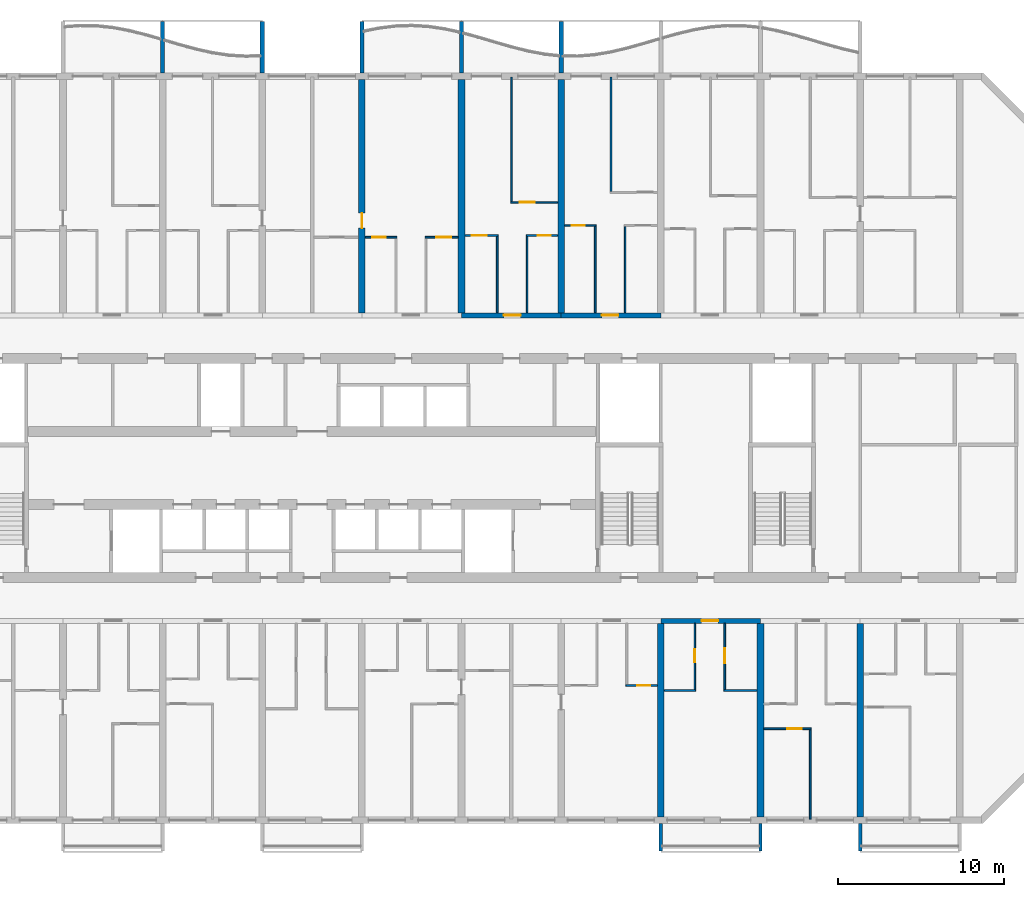
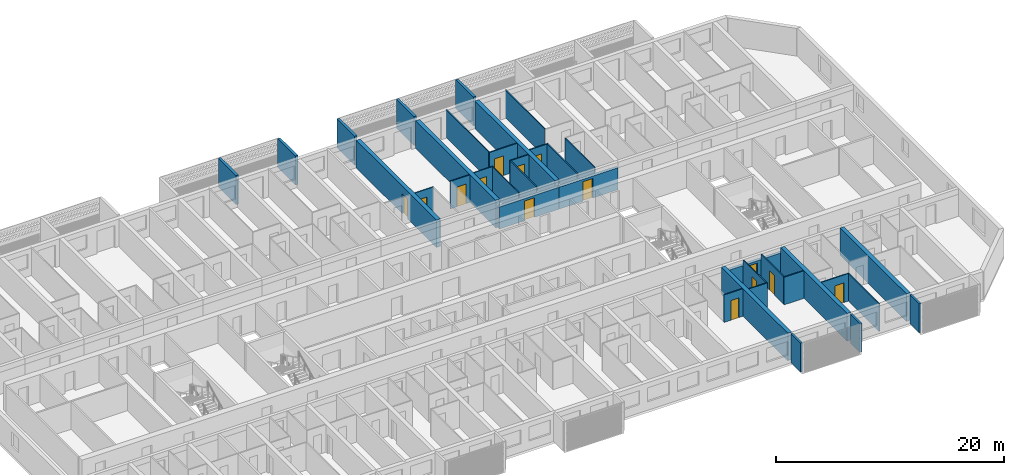
# One storey, part 13 of 39: 36 walls, 14 doors, 14 openings.
"""IFC4 building model written with IfcOpenShell, lengths in metres."""

from ifc_helpers import new_model, si_unit, direction, frame, frame_2d, origin, place, context, subcontext, project, spatial, polyline, rectangle, outline, extrude, source, transform, mapped, material, layer, layer_set, type_object, element, fill, save


model = new_model("IFC4")

# Units and contexts
model_context = context("Model", 3, precision=1e-05, world=origin(), true_north=direction((0.0, 1.0)))
body_context = subcontext(model_context, "Body", "Model", "MODEL_VIEW")
ifc_project = project(units=[si_unit("LENGTHUNIT", "METRE"), si_unit("AREAUNIT", "SQUARE_METRE"), si_unit("VOLUMEUNIT", "CUBIC_METRE"), si_unit("PLANEANGLEUNIT", "RADIAN"), si_unit("MASSUNIT", "GRAM", prefix="KILO")], contexts=[model_context])

# Site, building, storey
site_placement = place(None, origin())
site = spatial("IfcSite", under=ifc_project, at=site_placement, CompositionType="ELEMENT")
building_placement = place(site_placement, origin())
building = spatial("IfcBuilding", under=site, at=building_placement, Name="Poui Terraces", CompositionType="ELEMENT")
storey_placement = place(building_placement, frame((0.0, 0.0, 63.0)))
storey = spatial("IfcBuildingStorey", under=building, at=storey_placement, Name="L17", CompositionType="ELEMENT", Elevation=63.0)

# Wall, opening, door
ifc_material_1 = material(Name="Concrete 80 MPa", Category="concrete")
ifc_layer_1 = layer(ifc_material_1, 0.300048828125)
ifc_layer_set_1 = layer_set([ifc_layer_1], Name="Concrete 80 MPa")
wall_type_1 = type_object("IfcWallType", Name="CORRIDOR WALL 300 80MPa", PredefinedType="SHEAR", material=ifc_layer_set_1)
wall_1_placement = place(storey_placement, frame((72.0, 12.0, 0.0), z_axis=(0.0, 0.0, 1.0), x_axis=(1.0, 0.0, 0.0)))
wall_1 = element("IfcWall", 1, at=wall_1_placement, inside=storey, type_object=wall_type_1, Name="CORRIDOR WALL LINE B BAY 12", PredefinedType="SHEAR", context=body_context, shape_type="SweptSolid", body=[
    extrude(rectangle(XDim=6.0, YDim=0.300048828125, at=frame_2d((3.0, 0.0))), origin(), (0.0, 0.0, 1.0), 2.35009765625),
])
opening_1_placement = place(wall_1_placement, frame((2.449951171875, 0.0, 0.0)))
opening_1 = element("IfcOpeningElement", 2, at=opening_1_placement, cuts=wall_1, Name="Opening FD30S", PredefinedType="OPENING", context=body_context, shape_type="SweptSolid", body=[
    extrude(rectangle(XDim=1.0, YDim=2.10009765625, at=frame_2d((0.5, 1.050048828125))), frame((0.0, 0.16015625, 0.0), z_axis=(0.0, -1.0, 0.0), x_axis=(1.0, 0.0, 0.0)), (0.0, 0.0, 1.0), 0.320068359375),
])
ifc_material_2 = material(Name="Steel fire door", Category="steel")
door_type_1 = type_object("IfcDoorType", Name="FLAT ENTRANCE DOOR 1000 X 2100", OperationType="NOTDEFINED", PredefinedType="DOOR", material=ifc_material_2)
door_1_placement = place(opening_1_placement, frame((1.0, 0.0, 0.0), z_axis=(0.0, 0.0, 1.0), x_axis=(-1.0, 0.0, 0.0)))
door_1 = element("IfcDoor", 3, at=door_1_placement, inside=storey, type_object=door_type_1, Name="FLAT ENTRANCE DOOR 124", OperationType="SINGLE_SWING_RIGHT", OverallHeight=2.10009765625, OverallWidth=1.0, PredefinedType="DOOR", context=body_context, shape_type="SweptSolid", body=[
    extrude(rectangle(XDim=1.0, YDim=2.10009765625, at=frame_2d((0.5, 1.050048828125))), frame((0.0, 0.02490234375, 0.0), z_axis=(0.0, -1.0, 0.0), x_axis=(1.0, 0.0, 0.0)), (0.0, 0.0, 1.0), 0.050048828125),
])
fill(opening_1, door_1)

wall_2_placement = place(storey_placement, frame((60.0, 30.39990234375, 0.0), z_axis=(0.0, 0.0, 1.0), x_axis=(1.0, 0.0, 0.0)))
wall_2 = element("IfcWall", 4, at=wall_2_placement, inside=storey, type_object=wall_type_1, Name="CORRIDOR WALL LINE E BAY 10", PredefinedType="SHEAR", context=body_context, shape_type="SweptSolid", body=[
    extrude(rectangle(XDim=6.0, YDim=0.300048828125, at=frame_2d((3.0, 0.0))), origin(), (0.0, 0.0, 1.0), 2.35009765625),
])
opening_2_placement = place(wall_2_placement, frame((2.550048828125, 0.0, 0.0)))
opening_2 = element("IfcOpeningElement", 5, at=opening_2_placement, cuts=wall_2, Name="Opening FD30S", PredefinedType="OPENING", context=body_context, shape_type="SweptSolid", body=[
    extrude(rectangle(XDim=1.0, YDim=2.10009765625, at=frame_2d((0.5, 1.050048828125))), frame((0.0, 0.16015625, 0.0), z_axis=(0.0, -1.0, 0.0), x_axis=(1.0, 0.0, 0.0)), (0.0, 0.0, 1.0), 0.320068359375),
])
door_2_placement = place(opening_2_placement, origin())
door_2 = element("IfcDoor", 6, at=door_2_placement, inside=storey, type_object=door_type_1, Name="FLAT ENTRANCE DOOR 064", OperationType="SINGLE_SWING_RIGHT", OverallHeight=2.10009765625, OverallWidth=1.0, PredefinedType="DOOR", context=body_context, shape_type="SweptSolid", body=[
    extrude(rectangle(XDim=1.0, YDim=2.10009765625, at=frame_2d((0.5, 1.050048828125))), frame((0.0, 0.02490234375, 0.0), z_axis=(0.0, -1.0, 0.0), x_axis=(1.0, 0.0, 0.0)), (0.0, 0.0, 1.0), 0.050048828125),
])
fill(opening_2, door_2)

wall_3_placement = place(storey_placement, frame((66.0, 30.39990234375, 0.0), z_axis=(0.0, 0.0, 1.0), x_axis=(1.0, 0.0, 0.0)))
wall_3 = element("IfcWall", 7, at=wall_3_placement, inside=storey, type_object=wall_type_1, Name="CORRIDOR WALL LINE E BAY 11", PredefinedType="SHEAR", context=body_context, shape_type="SweptSolid", body=[
    extrude(rectangle(XDim=6.0, YDim=0.300048828125, at=frame_2d((3.0, 0.0))), origin(), (0.0, 0.0, 1.0), 2.35009765625),
])
opening_3_placement = place(wall_3_placement, frame((2.449951171875, 0.0, 0.0)))
opening_3 = element("IfcOpeningElement", 8, at=opening_3_placement, cuts=wall_3, Name="Opening FD30S", PredefinedType="OPENING", context=body_context, shape_type="SweptSolid", body=[
    extrude(rectangle(XDim=1.0, YDim=2.10009765625, at=frame_2d((0.5, 1.050048828125))), frame((0.0, 0.16015625, 0.0), z_axis=(0.0, -1.0, 0.0), x_axis=(1.0, 0.0, 0.0)), (0.0, 0.0, 1.0), 0.320068359375),
])
door_3_placement = place(opening_3_placement, origin())
door_3 = element("IfcDoor", 9, at=door_3_placement, inside=storey, type_object=door_type_1, Name="FLAT ENTRANCE DOOR 068", OperationType="SINGLE_SWING_LEFT", OverallHeight=2.10009765625, OverallWidth=1.0, PredefinedType="DOOR", context=body_context, shape_type="SweptSolid", body=[
    extrude(rectangle(XDim=1.0, YDim=2.10009765625, at=frame_2d((0.5, 1.050048828125))), frame((0.0, 0.02490234375, 0.0), z_axis=(0.0, -1.0, 0.0), x_axis=(1.0, 0.0, 0.0)), (0.0, 0.0, 1.0), 0.050048828125),
])
fill(opening_3, door_3)

ifc_layer_2 = layer(ifc_material_1, 0.39990234375)
ifc_layer_set_2 = layer_set([ifc_layer_2], Name="Concrete 80 MPa")
wall_type_2 = type_object("IfcWallType", Name="CROSS WALL 400 80MPa", PredefinedType="SHEAR", material=ifc_layer_set_2)
wall_4_placement = place(storey_placement, frame((54.0, 30.550048828125, 0.0), z_axis=(0.0, 0.0, 1.0), x_axis=(0.0, 1.0, 0.0)))
wall_4 = element("IfcWall", 10, at=wall_4_placement, inside=storey, type_object=wall_type_2, Name="CROSS WALL LINE 10 NORTH", PredefinedType="SHEAR", context=body_context, shape_type="SweptSolid", body=[
    extrude(rectangle(XDim=14.050048828125, YDim=0.39990234375, at=frame_2d((7.02490234375, 0.0))), origin(), (0.0, 0.0, 1.0), 2.949951171875),
])
opening_4_placement = place(wall_4_placement, frame((5.10009765625, 0.0, 0.0)))
opening_4 = element("IfcOpeningElement", 11, at=opening_4_placement, cuts=wall_4, Name="Opening D90", PredefinedType="OPENING", context=body_context, shape_type="SweptSolid", body=[
    extrude(rectangle(XDim=0.89990234375, YDim=2.10009765625, at=frame_2d((0.449951171875, 1.050048828125))), frame((0.0, 0.2099609375, 0.0), z_axis=(0.0, -1.0, 0.0), x_axis=(1.0, 0.0, 0.0)), (0.0, 0.0, 1.0), 0.419921875),
])
ifc_material_3 = material(Name="Solid core timber door", Category="wood")
door_type_2 = type_object("IfcDoorType", Name="INTERNAL DOOR 900 X 2100", OperationType="NOTDEFINED", PredefinedType="DOOR", material=ifc_material_3)
door_4_placement = place(opening_4_placement, origin())
door_4 = element("IfcDoor", 12, at=door_4_placement, inside=storey, type_object=door_type_2, Name="INTERNAL DOOR 059", OperationType="SINGLE_SWING_LEFT", OverallHeight=2.10009765625, OverallWidth=0.89990234375, PredefinedType="DOOR", context=body_context, shape_type="SweptSolid", body=[
    extrude(rectangle(XDim=0.89990234375, YDim=2.10009765625, at=frame_2d((0.449951171875, 1.050048828125))), frame((0.0, 0.02490234375, 0.0), z_axis=(0.0, -1.0, 0.0), x_axis=(1.0, 0.0, 0.0)), (0.0, 0.0, 1.0), 0.050048828125),
])
fill(opening_4, door_4)

# Walls
for number, where, z_axis, x_axis, name in (
    (13, (60.0, 30.550048828125, 0.0), (0.0, 0.0, 1.0), (0.0, 1.0, 0.0), "CROSS WALL LINE 11 NORTH"),
    (14, (66.0, 30.550048828125, 0.0), (0.0, 0.0, 1.0), (0.0, 1.0, 0.0), "CROSS WALL LINE 12 NORTH"),
):
    element("IfcWall", number, at=place(storey_placement, frame(where, z_axis=z_axis, x_axis=x_axis)), inside=storey, type_object=wall_type_2, Name=name, PredefinedType="SHEAR", context=body_context, shape_type="SweptSolid", body=[
        extrude(rectangle(XDim=14.050048828125, YDim=0.39990234375, at=frame_2d((7.02490234375, 0.0))), origin(), (0.0, 0.0, 1.0), 2.949951171875),
    ])
for number, where, z_axis, x_axis, name in (
    (15, (72.0, 0.199951171875, 0.0), (0.0, 0.0, 1.0), (0.0, 1.0, 0.0), "CROSS WALL LINE 13 SOUTH"),
    (16, (78.0, 0.199951171875, 0.0), (0.0, 0.0, 1.0), (0.0, 1.0, 0.0), "CROSS WALL LINE 14 SOUTH"),
    (17, (84.0, 0.199951171875, 0.0), (0.0, 0.0, 1.0), (0.0, 1.0, 0.0), "CROSS WALL LINE 15 SOUTH"),
):
    element("IfcWall", number, at=place(storey_placement, frame(where, z_axis=z_axis, x_axis=x_axis)), inside=storey, type_object=wall_type_2, Name=name, PredefinedType="SHEAR", context=body_context, shape_type="SweptSolid", body=[
        extrude(rectangle(XDim=11.650146484375, YDim=0.39990234375, at=frame_2d((5.8251953125, 0.0))), origin(), (0.0, 0.0, 1.0), 2.949951171875),
    ])

# Wall, opening, door
ifc_material_4 = material(Name="Plasterboard partition")
ifc_layer_3 = layer(ifc_material_4, 0.10009765625)
ifc_layer_set_3 = layer_set([ifc_layer_3], Name="Plasterboard partition")
wall_type_3 = type_object("IfcWallType", Name="FLAT PARTITION 100", PredefinedType="PARTITIONING", material=ifc_layer_set_3)
wall_5_placement = place(storey_placement, frame((78.2099609375, 5.5, 0.0), z_axis=(0.0, 0.0, 1.0), x_axis=(1.0, 0.0, 0.0)))
wall_5 = element("IfcWall", 18, at=wall_5_placement, inside=storey, type_object=wall_type_3, Name="FLAT PARTITION 100", PredefinedType="PARTITIONING", context=body_context, shape_type="SweptSolid", body=[
    extrude(rectangle(XDim=2.840087890625, YDim=0.10009765625, at=frame_2d((1.419921875, 0.0))), origin(), (0.0, 0.0, 1.0), 2.949951171875),
])
opening_5_placement = place(wall_5_placement, frame((1.389892578125, 0.0, 0.0)))
opening_5 = element("IfcOpeningElement", 19, at=opening_5_placement, cuts=wall_5, Name="Opening D90", PredefinedType="OPENING", context=body_context, shape_type="SweptSolid", body=[
    extrude(rectangle(XDim=0.89990234375, YDim=2.10009765625, at=frame_2d((0.449951171875, 1.050048828125))), frame((0.0, 0.06005859375, 0.0), z_axis=(0.0, -1.0, 0.0), x_axis=(1.0, 0.0, 0.0)), (0.0, 0.0, 1.0), 0.1201171875),
])
door_5_placement = place(opening_5_placement, origin())
door_5 = element("IfcDoor", 20, at=door_5_placement, inside=storey, type_object=door_type_2, Name="INTERNAL DOOR 127", OperationType="SINGLE_SWING_LEFT", OverallHeight=2.10009765625, OverallWidth=0.89990234375, PredefinedType="DOOR", context=body_context, shape_type="SweptSolid", body=[
    extrude(rectangle(XDim=0.89990234375, YDim=2.10009765625, at=frame_2d((0.449951171875, 1.050048828125))), frame((0.0, 0.02490234375, 0.0), z_axis=(0.0, -1.0, 0.0), x_axis=(1.0, 0.0, 0.0)), (0.0, 0.0, 1.0), 0.050048828125),
])
fill(opening_5, door_5)

# Walls
wall_6_placement = place(storey_placement, frame((72.2099609375, 7.800048828125, 0.0), z_axis=(0.0, 0.0, 1.0), x_axis=(1.0, 0.0, 0.0)))
element("IfcWall", 21, at=wall_6_placement, inside=storey, type_object=wall_type_3, Name="FLAT PARTITION 100", PredefinedType="PARTITIONING", context=body_context, shape_type="SweptSolid", body=[
    extrude(rectangle(XDim=1.89013671875, YDim=0.10009765625, at=frame_2d((0.945068359375, 0.0))), origin(), (0.0, 0.0, 1.0), 2.949951171875),
])
wall_7_placement = place(storey_placement, frame((75.800048828125, 7.800048828125, 0.0), z_axis=(0.0, 0.0, 1.0), x_axis=(1.0, 0.0, 0.0)))
element("IfcWall", 22, at=wall_7_placement, inside=storey, type_object=wall_type_3, Name="FLAT PARTITION 100", PredefinedType="PARTITIONING", context=body_context, shape_type="SweptSolid", body=[
    extrude(rectangle(XDim=1.989990234375, YDim=0.10009765625, at=frame_2d((0.9951171875, 0.0))), origin(), (0.0, 0.0, 1.0), 2.949951171875),
])

# Wall, opening, door
wall_8_placement = place(storey_placement, frame((69.89990234375, 8.10009765625, 0.0), z_axis=(0.0, 0.0, 1.0), x_axis=(1.0, 0.0, 0.0)))
wall_8 = element("IfcWall", 23, at=wall_8_placement, inside=storey, type_object=wall_type_3, Name="FLAT PARTITION 100", PredefinedType="PARTITIONING", context=body_context, shape_type="SweptSolid", body=[
    extrude(rectangle(XDim=1.89013671875, YDim=0.10009765625, at=frame_2d((0.945068359375, 0.0))), origin(), (0.0, 0.0, 1.0), 2.949951171875),
])
opening_6_placement = place(wall_8_placement, frame((0.675048828125, 0.0, 0.0)))
opening_6 = element("IfcOpeningElement", 24, at=opening_6_placement, cuts=wall_8, Name="Opening D80", PredefinedType="OPENING", context=body_context, shape_type="SweptSolid", body=[
    extrude(rectangle(XDim=0.800048828125, YDim=2.10009765625, at=frame_2d((0.39990234375, 1.050048828125))), frame((0.0, 0.06005859375, 0.0), z_axis=(0.0, -1.0, 0.0), x_axis=(1.0, 0.0, 0.0)), (0.0, 0.0, 1.0), 0.1201171875),
])
door_type_3 = type_object("IfcDoorType", Name="BATHROOM, LAUNDRY AND STORE DOOR 800 X 2100", OperationType="NOTDEFINED", PredefinedType="DOOR", material=ifc_material_3)
door_6_placement = place(opening_6_placement, origin())
door_6 = element("IfcDoor", 25, at=door_6_placement, inside=storey, type_object=door_type_3, Name="BATHROOM, LAUNDRY AND STORE DOOR 122", OperationType="SINGLE_SWING_RIGHT", OverallHeight=2.10009765625, OverallWidth=0.800048828125, PredefinedType="DOOR", context=body_context, shape_type="SweptSolid", body=[
    extrude(rectangle(XDim=0.800048828125, YDim=2.10009765625, at=frame_2d((0.39990234375, 1.050048828125))), frame((0.0, 0.02490234375, 0.0), z_axis=(0.0, -1.0, 0.0), x_axis=(1.0, 0.0, 0.0)), (0.0, 0.0, 1.0), 0.050048828125),
])
fill(opening_6, door_6)

wall_9_placement = place(storey_placement, frame((54.2099609375, 35.10009765625, 0.0), z_axis=(0.0, 0.0, 1.0), x_axis=(1.0, 0.0, 0.0)))
wall_9 = element("IfcWall", 26, at=wall_9_placement, inside=storey, type_object=wall_type_3, Name="FLAT PARTITION 100", PredefinedType="PARTITIONING", context=body_context, shape_type="SweptSolid", body=[
    extrude(rectangle(XDim=1.89013671875, YDim=0.10009765625, at=frame_2d((0.945068359375, 0.0))), origin(), (0.0, 0.0, 1.0), 2.949951171875),
])
opening_7_placement = place(wall_9_placement, frame((0.4150390625, 0.0, 0.0)))
opening_7 = element("IfcOpeningElement", 27, at=opening_7_placement, cuts=wall_9, Name="Opening D80", PredefinedType="OPENING", context=body_context, shape_type="SweptSolid", body=[
    extrude(rectangle(XDim=0.800048828125, YDim=2.10009765625, at=frame_2d((0.39990234375, 1.050048828125))), frame((0.0, 0.06005859375, 0.0), z_axis=(0.0, -1.0, 0.0), x_axis=(1.0, 0.0, 0.0)), (0.0, 0.0, 1.0), 0.1201171875),
])
door_7_placement = place(opening_7_placement, frame((0.800048828125, 0.0, 0.0), z_axis=(0.0, 0.0, 1.0), x_axis=(-1.0, 0.0, 0.0)))
door_7 = element("IfcDoor", 28, at=door_7_placement, inside=storey, type_object=door_type_3, Name="BATHROOM, LAUNDRY AND STORE DOOR 060", OperationType="SINGLE_SWING_LEFT", OverallHeight=2.10009765625, OverallWidth=0.800048828125, PredefinedType="DOOR", context=body_context, shape_type="SweptSolid", body=[
    extrude(rectangle(XDim=0.800048828125, YDim=2.10009765625, at=frame_2d((0.39990234375, 1.050048828125))), frame((0.0, 0.02490234375, 0.0), z_axis=(0.0, -1.0, 0.0), x_axis=(1.0, 0.0, 0.0)), (0.0, 0.0, 1.0), 0.050048828125),
])
fill(opening_7, door_7)

wall_10_placement = place(storey_placement, frame((57.800048828125, 35.10009765625, 0.0), z_axis=(0.0, 0.0, 1.0), x_axis=(1.0, 0.0, 0.0)))
wall_10 = element("IfcWall", 29, at=wall_10_placement, inside=storey, type_object=wall_type_3, Name="FLAT PARTITION 100", PredefinedType="PARTITIONING", context=body_context, shape_type="SweptSolid", body=[
    extrude(rectangle(XDim=1.989990234375, YDim=0.10009765625, at=frame_2d((0.9951171875, 0.0))), origin(), (0.0, 0.0, 1.0), 2.949951171875),
])
opening_8_placement = place(wall_10_placement, frame((0.675048828125, 0.0, 0.0)))
opening_8 = element("IfcOpeningElement", 30, at=opening_8_placement, cuts=wall_10, Name="Opening D90", PredefinedType="OPENING", context=body_context, shape_type="SweptSolid", body=[
    extrude(rectangle(XDim=0.89990234375, YDim=2.10009765625, at=frame_2d((0.449951171875, 1.050048828125))), frame((0.0, 0.06005859375, 0.0), z_axis=(0.0, -1.0, 0.0), x_axis=(1.0, 0.0, 0.0)), (0.0, 0.0, 1.0), 0.1201171875),
])
door_8_placement = place(opening_8_placement, frame((0.89990234375, 0.0, 0.0), z_axis=(0.0, 0.0, 1.0), x_axis=(-1.0, 0.0, 0.0)))
door_8 = element("IfcDoor", 31, at=door_8_placement, inside=storey, type_object=door_type_2, Name="INTERNAL DOOR 062", OperationType="SINGLE_SWING_RIGHT", OverallHeight=2.10009765625, OverallWidth=0.89990234375, PredefinedType="DOOR", context=body_context, shape_type="SweptSolid", body=[
    extrude(rectangle(XDim=0.89990234375, YDim=2.10009765625, at=frame_2d((0.449951171875, 1.050048828125))), frame((0.0, 0.02490234375, 0.0), z_axis=(0.0, -1.0, 0.0), x_axis=(1.0, 0.0, 0.0)), (0.0, 0.0, 1.0), 0.050048828125),
])
fill(opening_8, door_8)

wall_11_placement = place(storey_placement, frame((60.2099609375, 35.199951171875, 0.0), z_axis=(0.0, 0.0, 1.0), x_axis=(1.0, 0.0, 0.0)))
wall_11 = element("IfcWall", 32, at=wall_11_placement, inside=storey, type_object=wall_type_3, Name="FLAT PARTITION 100", PredefinedType="PARTITIONING", context=body_context, shape_type="SweptSolid", body=[
    extrude(rectangle(XDim=1.989990234375, YDim=0.10009765625, at=frame_2d((0.9951171875, 0.0))), origin(), (0.0, 0.0, 1.0), 2.949951171875),
])
opening_9_placement = place(wall_11_placement, frame((0.4150390625, 0.0, 0.0)))
opening_9 = element("IfcOpeningElement", 33, at=opening_9_placement, cuts=wall_11, Name="Opening D90", PredefinedType="OPENING", context=body_context, shape_type="SweptSolid", body=[
    extrude(rectangle(XDim=0.89990234375, YDim=2.10009765625, at=frame_2d((0.449951171875, 1.050048828125))), frame((0.0, 0.06005859375, 0.0), z_axis=(0.0, -1.0, 0.0), x_axis=(1.0, 0.0, 0.0)), (0.0, 0.0, 1.0), 0.1201171875),
])
door_9_placement = place(opening_9_placement, frame((0.89990234375, 0.0, 0.0), z_axis=(0.0, 0.0, 1.0), x_axis=(-1.0, 0.0, 0.0)))
door_9 = element("IfcDoor", 34, at=door_9_placement, inside=storey, type_object=door_type_2, Name="INTERNAL DOOR 063", OperationType="SINGLE_SWING_LEFT", OverallHeight=2.10009765625, OverallWidth=0.89990234375, PredefinedType="DOOR", context=body_context, shape_type="SweptSolid", body=[
    extrude(rectangle(XDim=0.89990234375, YDim=2.10009765625, at=frame_2d((0.449951171875, 1.050048828125))), frame((0.0, 0.02490234375, 0.0), z_axis=(0.0, -1.0, 0.0), x_axis=(1.0, 0.0, 0.0)), (0.0, 0.0, 1.0), 0.050048828125),
])
fill(opening_9, door_9)

wall_12_placement = place(storey_placement, frame((63.89990234375, 35.199951171875, 0.0), z_axis=(0.0, 0.0, 1.0), x_axis=(1.0, 0.0, 0.0)))
wall_12 = element("IfcWall", 35, at=wall_12_placement, inside=storey, type_object=wall_type_3, Name="FLAT PARTITION 100", PredefinedType="PARTITIONING", context=body_context, shape_type="SweptSolid", body=[
    extrude(rectangle(XDim=1.89013671875, YDim=0.10009765625, at=frame_2d((0.945068359375, 0.0))), origin(), (0.0, 0.0, 1.0), 2.949951171875),
])
opening_10_placement = place(wall_12_placement, frame((0.675048828125, 0.0, 0.0)))
opening_10 = element("IfcOpeningElement", 36, at=opening_10_placement, cuts=wall_12, Name="Opening D80", PredefinedType="OPENING", context=body_context, shape_type="SweptSolid", body=[
    extrude(rectangle(XDim=0.800048828125, YDim=2.10009765625, at=frame_2d((0.39990234375, 1.050048828125))), frame((0.0, 0.06005859375, 0.0), z_axis=(0.0, -1.0, 0.0), x_axis=(1.0, 0.0, 0.0)), (0.0, 0.0, 1.0), 0.1201171875),
])
door_10_placement = place(opening_10_placement, frame((0.800048828125, 0.0, 0.0), z_axis=(0.0, 0.0, 1.0), x_axis=(-1.0, 0.0, 0.0)))
door_10 = element("IfcDoor", 37, at=door_10_placement, inside=storey, type_object=door_type_3, Name="BATHROOM, LAUNDRY AND STORE DOOR 066", OperationType="SINGLE_SWING_RIGHT", OverallHeight=2.10009765625, OverallWidth=0.800048828125, PredefinedType="DOOR", context=body_context, shape_type="SweptSolid", body=[
    extrude(rectangle(XDim=0.800048828125, YDim=2.10009765625, at=frame_2d((0.39990234375, 1.050048828125))), frame((0.0, 0.02490234375, 0.0), z_axis=(0.0, -1.0, 0.0), x_axis=(1.0, 0.0, 0.0)), (0.0, 0.0, 1.0), 0.050048828125),
])
fill(opening_10, door_10)

wall_13_placement = place(storey_placement, frame((66.2099609375, 35.800048828125, 0.0), z_axis=(0.0, 0.0, 1.0), x_axis=(1.0, 0.0, 0.0)))
wall_13 = element("IfcWall", 38, at=wall_13_placement, inside=storey, type_object=wall_type_3, Name="FLAT PARTITION 100", PredefinedType="PARTITIONING", context=body_context, shape_type="SweptSolid", body=[
    extrude(rectangle(XDim=1.89013671875, YDim=0.10009765625, at=frame_2d((0.945068359375, 0.0))), origin(), (0.0, 0.0, 1.0), 2.949951171875),
])
opening_11_placement = place(wall_13_placement, frame((0.4150390625, 0.0, 0.0)))
opening_11 = element("IfcOpeningElement", 39, at=opening_11_placement, cuts=wall_13, Name="Opening D80", PredefinedType="OPENING", context=body_context, shape_type="SweptSolid", body=[
    extrude(rectangle(XDim=0.800048828125, YDim=2.10009765625, at=frame_2d((0.39990234375, 1.050048828125))), frame((0.0, 0.06005859375, 0.0), z_axis=(0.0, -1.0, 0.0), x_axis=(1.0, 0.0, 0.0)), (0.0, 0.0, 1.0), 0.1201171875),
])
door_11_placement = place(opening_11_placement, frame((0.800048828125, 0.0, 0.0), z_axis=(0.0, 0.0, 1.0), x_axis=(-1.0, 0.0, 0.0)))
door_11 = element("IfcDoor", 40, at=door_11_placement, inside=storey, type_object=door_type_3, Name="BATHROOM, LAUNDRY AND STORE DOOR 067", OperationType="SINGLE_SWING_RIGHT", OverallHeight=2.10009765625, OverallWidth=0.800048828125, PredefinedType="DOOR", context=body_context, shape_type="SweptSolid", body=[
    extrude(rectangle(XDim=0.800048828125, YDim=2.10009765625, at=frame_2d((0.39990234375, 1.050048828125))), frame((0.0, 0.02490234375, 0.0), z_axis=(0.0, -1.0, 0.0), x_axis=(1.0, 0.0, 0.0)), (0.0, 0.0, 1.0), 0.050048828125),
])
fill(opening_11, door_11)

wall_14_placement = place(storey_placement, frame((62.949951171875, 37.199951171875, 0.0), z_axis=(0.0, 0.0, 1.0), x_axis=(1.0, 0.0, 0.0)))
wall_14 = element("IfcWall", 41, at=wall_14_placement, inside=storey, type_object=wall_type_3, Name="FLAT PARTITION 100", PredefinedType="PARTITIONING", context=body_context, shape_type="SweptSolid", body=[
    extrude(rectangle(XDim=2.840087890625, YDim=0.10009765625, at=frame_2d((1.419921875, 0.0))), origin(), (0.0, 0.0, 1.0), 2.949951171875),
])
opening_12_placement = place(wall_14_placement, frame((0.550048828125, 0.0, 0.0)))
opening_12 = element("IfcOpeningElement", 42, at=opening_12_placement, cuts=wall_14, Name="Opening D90", PredefinedType="OPENING", context=body_context, shape_type="SweptSolid", body=[
    extrude(rectangle(XDim=0.89990234375, YDim=2.10009765625, at=frame_2d((0.449951171875, 1.050048828125))), frame((0.0, 0.06005859375, 0.0), z_axis=(0.0, -1.0, 0.0), x_axis=(1.0, 0.0, 0.0)), (0.0, 0.0, 1.0), 0.1201171875),
])
door_12_placement = place(opening_12_placement, frame((0.89990234375, 0.0, 0.0), z_axis=(0.0, 0.0, 1.0), x_axis=(-1.0, 0.0, 0.0)))
door_12 = element("IfcDoor", 43, at=door_12_placement, inside=storey, type_object=door_type_2, Name="INTERNAL DOOR 065", OperationType="SINGLE_SWING_LEFT", OverallHeight=2.10009765625, OverallWidth=0.89990234375, PredefinedType="DOOR", context=body_context, shape_type="SweptSolid", body=[
    extrude(rectangle(XDim=0.89990234375, YDim=2.10009765625, at=frame_2d((0.449951171875, 1.050048828125))), frame((0.0, 0.02490234375, 0.0), z_axis=(0.0, -1.0, 0.0), x_axis=(1.0, 0.0, 0.0)), (0.0, 0.0, 1.0), 0.050048828125),
])
fill(opening_12, door_12)

# Walls
wall_15_placement = place(storey_placement, frame((62.14990234375, 30.56005859375, 0.0), z_axis=(0.0, 0.0, 1.0), x_axis=(0.0, 1.0, 0.0)))
element("IfcWall", 44, at=wall_15_placement, inside=storey, type_object=wall_type_3, Name="FLAT PARTITION 100", PredefinedType="PARTITIONING", context=body_context, shape_type="SweptSolid", body=[
    extrude(rectangle(XDim=4.58984375, YDim=0.10009765625, at=frame_2d((2.294921875, 0.0))), origin(), (0.0, 0.0, 1.0), 2.949951171875),
])
wall_16_placement = place(storey_placement, frame((63.0, 37.25, 0.0), z_axis=(0.0, 0.0, 1.0), x_axis=(0.0, 1.0, 0.0)))
element("IfcWall", 45, at=wall_16_placement, inside=storey, type_object=wall_type_3, Name="FLAT PARTITION 100", PredefinedType="PARTITIONING", context=body_context, shape_type="SweptSolid", body=[
    extrude(rectangle(XDim=7.489990234375, YDim=0.10009765625, at=frame_2d((3.7451171875, 0.0))), origin(), (0.0, 0.0, 1.0), 2.949951171875),
])
wall_17_placement = place(storey_placement, frame((63.949951171875, 30.56005859375, 0.0), z_axis=(0.0, 0.0, 1.0), x_axis=(0.0, 1.0, 0.0)))
element("IfcWall", 46, at=wall_17_placement, inside=storey, type_object=wall_type_3, Name="FLAT PARTITION 100", PredefinedType="PARTITIONING", context=body_context, shape_type="SweptSolid", body=[
    extrude(rectangle(XDim=4.58984375, YDim=0.10009765625, at=frame_2d((2.294921875, 0.0))), origin(), (0.0, 0.0, 1.0), 2.949951171875),
])
wall_18_placement = place(storey_placement, frame((68.050048828125, 30.56005859375, 0.0), z_axis=(0.0, 0.0, 1.0), x_axis=(0.0, 1.0, 0.0)))
element("IfcWall", 47, at=wall_18_placement, inside=storey, type_object=wall_type_3, Name="FLAT PARTITION 100", PredefinedType="PARTITIONING", context=body_context, shape_type="SweptSolid", body=[
    extrude(rectangle(XDim=5.18994140625, YDim=0.10009765625, at=frame_2d((2.594970703125, 0.0))), origin(), (0.0, 0.0, 1.0), 2.949951171875),
])
wall_19_placement = place(storey_placement, frame((69.0, 37.85009765625, 0.0), z_axis=(0.0, 0.0, 1.0), x_axis=(0.0, 1.0, 0.0)))
element("IfcWall", 48, at=wall_19_placement, inside=storey, type_object=wall_type_3, Name="FLAT PARTITION 100", PredefinedType="PARTITIONING", context=body_context, shape_type="SweptSolid", body=[
    extrude(rectangle(XDim=6.889892578125, YDim=0.10009765625, at=frame_2d((3.44482421875, 0.0))), origin(), (0.0, 0.0, 1.0), 2.949951171875),
])
wall_20_placement = place(storey_placement, frame((69.85009765625, 30.56005859375, 0.0), z_axis=(0.0, 0.0, 1.0), x_axis=(0.0, 1.0, 0.0)))
element("IfcWall", 49, at=wall_20_placement, inside=storey, type_object=wall_type_3, Name="FLAT PARTITION 100", PredefinedType="PARTITIONING", context=body_context, shape_type="SweptSolid", body=[
    extrude(rectangle(XDim=5.18994140625, YDim=0.10009765625, at=frame_2d((2.594970703125, 0.0))), origin(), (0.0, 0.0, 1.0), 2.949951171875),
])

# Wall, opening, door
wall_21_placement = place(storey_placement, frame((74.050048828125, 7.85009765625, 0.0), z_axis=(0.0, 0.0, 1.0), x_axis=(0.0, 1.0, 0.0)))
wall_21 = element("IfcWall", 50, at=wall_21_placement, inside=storey, type_object=wall_type_3, Name="FLAT PARTITION 100", PredefinedType="PARTITIONING", context=body_context, shape_type="SweptSolid", body=[
    extrude(rectangle(XDim=3.989990234375, YDim=0.10009765625, at=frame_2d((1.9951171875, 0.0))), origin(), (0.0, 0.0, 1.0), 2.949951171875),
])
opening_13_placement = place(wall_21_placement, frame((1.64990234375, 0.0, 0.0)))
opening_13 = element("IfcOpeningElement", 51, at=opening_13_placement, cuts=wall_21, Name="Opening D80", PredefinedType="OPENING", context=body_context, shape_type="SweptSolid", body=[
    extrude(rectangle(XDim=0.800048828125, YDim=2.10009765625, at=frame_2d((0.39990234375, 1.050048828125))), frame((0.0, 0.06005859375, 0.0), z_axis=(0.0, -1.0, 0.0), x_axis=(1.0, 0.0, 0.0)), (0.0, 0.0, 1.0), 0.1201171875),
])
door_13_placement = place(opening_13_placement, origin())
door_13 = element("IfcDoor", 52, at=door_13_placement, inside=storey, type_object=door_type_3, Name="BATHROOM, LAUNDRY AND STORE DOOR 123", OperationType="SINGLE_SWING_RIGHT", OverallHeight=2.10009765625, OverallWidth=0.800048828125, PredefinedType="DOOR", context=body_context, shape_type="SweptSolid", body=[
    extrude(rectangle(XDim=0.800048828125, YDim=2.10009765625, at=frame_2d((0.39990234375, 1.050048828125))), frame((0.0, 0.02490234375, 0.0), z_axis=(0.0, -1.0, 0.0), x_axis=(1.0, 0.0, 0.0)), (0.0, 0.0, 1.0), 0.050048828125),
])
fill(opening_13, door_13)

wall_22_placement = place(storey_placement, frame((75.85009765625, 7.85009765625, 0.0), z_axis=(0.0, 0.0, 1.0), x_axis=(0.0, 1.0, 0.0)))
wall_22 = element("IfcWall", 53, at=wall_22_placement, inside=storey, type_object=wall_type_3, Name="FLAT PARTITION 100", PredefinedType="PARTITIONING", context=body_context, shape_type="SweptSolid", body=[
    extrude(rectangle(XDim=3.989990234375, YDim=0.10009765625, at=frame_2d((1.9951171875, 0.0))), origin(), (0.0, 0.0, 1.0), 2.949951171875),
])
opening_14_placement = place(wall_22_placement, frame((1.60009765625, 0.0, 0.0)))
opening_14 = element("IfcOpeningElement", 54, at=opening_14_placement, cuts=wall_22, Name="Opening D90", PredefinedType="OPENING", context=body_context, shape_type="SweptSolid", body=[
    extrude(rectangle(XDim=0.89990234375, YDim=2.10009765625, at=frame_2d((0.449951171875, 1.050048828125))), frame((0.0, 0.06005859375, 0.0), z_axis=(0.0, -1.0, 0.0), x_axis=(1.0, 0.0, 0.0)), (0.0, 0.0, 1.0), 0.1201171875),
])
door_14_placement = place(opening_14_placement, frame((0.89990234375, 0.0, 0.0), z_axis=(0.0, 0.0, 1.0), x_axis=(-1.0, 0.0, 0.0)))
door_14 = element("IfcDoor", 55, at=door_14_placement, inside=storey, type_object=door_type_2, Name="INTERNAL DOOR 125", OperationType="SINGLE_SWING_RIGHT", OverallHeight=2.10009765625, OverallWidth=0.89990234375, PredefinedType="DOOR", context=body_context, shape_type="SweptSolid", body=[
    extrude(rectangle(XDim=0.89990234375, YDim=2.10009765625, at=frame_2d((0.449951171875, 1.050048828125))), frame((0.0, 0.02490234375, 0.0), z_axis=(0.0, -1.0, 0.0), x_axis=(1.0, 0.0, 0.0)), (0.0, 0.0, 1.0), 0.050048828125),
])
fill(opening_14, door_14)

# Walls
wall_23_placement = place(storey_placement, frame((81.0, 0.06005859375, 0.0), z_axis=(0.0, 0.0, 1.0), x_axis=(0.0, 1.0, 0.0)))
element("IfcWall", 56, at=wall_23_placement, inside=storey, type_object=wall_type_3, Name="FLAT PARTITION 100", PredefinedType="PARTITIONING", context=body_context, shape_type="SweptSolid", body=[
    extrude(rectangle(XDim=5.389892578125, YDim=0.10009765625, at=frame_2d((2.69482421875, 0.0))), origin(), (0.0, 0.0, 1.0), 2.949951171875),
])
ifc_material_5 = material(Name="Precast concrete 40 MPa", Category="concrete")
ifc_layer_4 = layer(ifc_material_5, 0.199951171875)
ifc_layer_set_4 = layer_set([ifc_layer_4], Name="Precast concrete 40 MPa")
wall_type_4 = type_object("IfcWallType", Name="REAR FIN 200", PredefinedType="STANDARD", material=ifc_layer_set_4)
shared_shape_1 = source(origin(), body_context, "Body", "SweptSolid", [
    extrude(outline(polyline([(0.0, 0.0), (0.2001953125, 0.0), (0.2001953125, 1.650146484375), (0.0, 1.650146484375), (0.0, 0.0)])), origin(), (0.0, 0.0, 1.0), 3.10009765625),
])
for number, where, name in (
    (57, (71.89990234375, -1.85009765625, 0.0), "REAR FIN"),
    (58, (77.89990234375, -1.85009765625, 0.0), "REAR FIN"),
    (59, (83.89990234375, -1.85009765625, 0.0), "REAR FIN"),
):
    element("IfcWall", number, at=place(storey_placement, frame(where)), inside=storey, type_object=wall_type_4, Name=name, PredefinedType="STANDARD", context=body_context, shape_type="MappedRepresentation", body=[
        mapped(shared_shape_1, transform((0.0, 0.0, 0.0))),
    ])
ifc_layer_5 = layer(ifc_material_5, 0.25)
ifc_layer_set_5 = layer_set([ifc_layer_5], Name="Precast concrete 40 MPa")
wall_type_5 = type_object("IfcWallType", Name="BALCONY FIN 250", PredefinedType="STANDARD", material=ifc_layer_set_5)
shared_shape_2 = source(origin(), body_context, "Body", "SweptSolid", [
    extrude(outline(polyline([(0.0, 0.0), (0.25, 0.0), (0.25, 3.10009765625), (0.0, 3.10009765625), (0.0, 0.0)])), origin(), (0.0, 0.0, 1.0), 3.10009765625),
])
for number, where, name in (
    (60, (41.875, 45.0, 0.0), "BALCONY FIN"),
    (61, (47.875, 45.0, 0.0), "BALCONY FIN"),
    (62, (53.875, 45.0, 0.0), "BALCONY FIN"),
    (63, (59.875, 45.0, 0.0), "BALCONY FIN"),
    (64, (65.875, 45.0, 0.0), "BALCONY FIN"),
):
    element("IfcWall", number, at=place(storey_placement, frame(where)), inside=storey, type_object=wall_type_5, Name=name, PredefinedType="STANDARD", context=body_context, shape_type="MappedRepresentation", body=[
        mapped(shared_shape_2, transform((0.0, 0.0, 0.0))),
    ])

save(model, "model.ifc")
